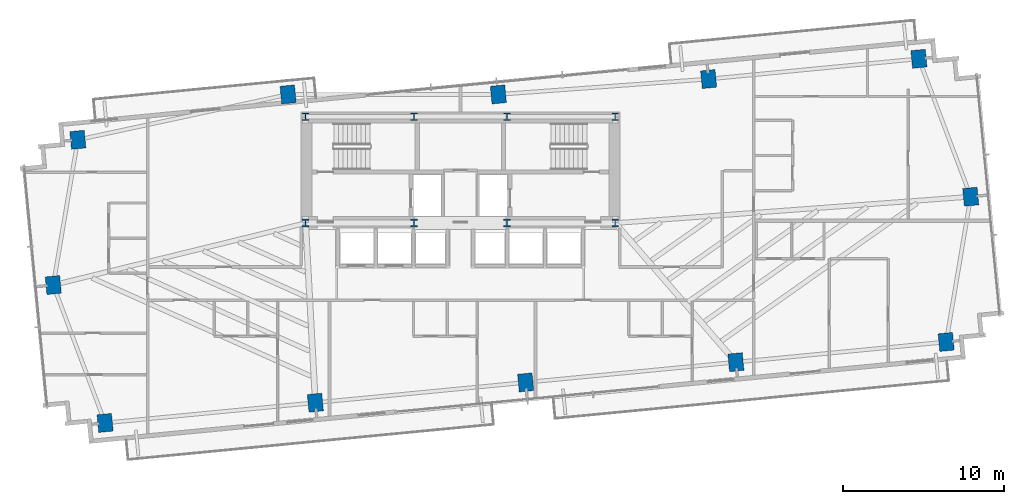
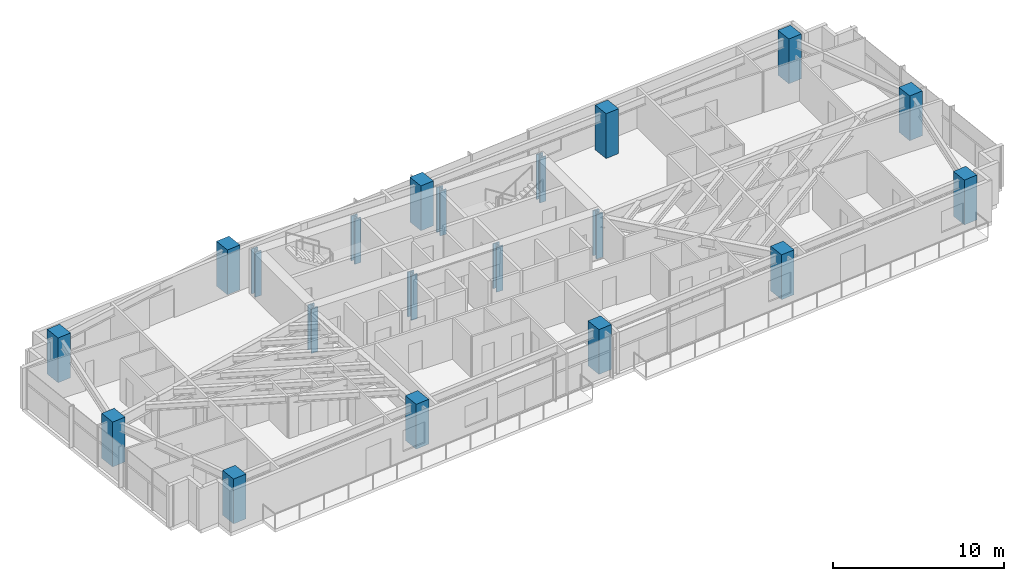
# One storey, part 1 of 27: 20 columns.
"""IFC4 building model written with IfcOpenShell, lengths in metres."""

from ifc_helpers import new_model, si_unit, direction, frame, origin, origin_2d, place, context, subcontext, project, spatial, rectangle, i_section, extrude, source, transform, mapped, material, material_profile, profile_set, type_object, type_shapes, element, save


model = new_model("IFC4")

# Units and contexts
model_context = context("Model", 3, precision=1e-05, world=origin(), true_north=direction((0.0, 1.0)))
body_context = subcontext(model_context, "Body", "Model", "MODEL_VIEW")
ifc_project = project(units=[si_unit("LENGTHUNIT", "METRE"), si_unit("AREAUNIT", "SQUARE_METRE"), si_unit("VOLUMEUNIT", "CUBIC_METRE"), si_unit("PLANEANGLEUNIT", "RADIAN"), si_unit("MASSUNIT", "GRAM", prefix="KILO")], contexts=[model_context])

# Site, building, storey
site_placement = place(None, origin())
site = spatial("IfcSite", under=ifc_project, at=site_placement, CompositionType="ELEMENT")
building_placement = place(site_placement, origin())
building = spatial("IfcBuilding", under=site, at=building_placement, Name="Astriad Promenade Condominiums", CompositionType="ELEMENT")
storey_placement = place(building_placement, frame((0.0, 0.0, 93.800048828125)))
storey = spatial("IfcBuildingStorey", under=building, at=storey_placement, Name="L26", CompositionType="ELEMENT", Elevation=93.800048828125)

# Columns
ifc_material_1 = material(Name="Steel ASTM A992 Grade 50", Category="steel")
ifc_material_profile_1 = material_profile(ifc_material_1, i_section(OverallWidth=0.427490234375, OverallDepth=0.483154296875, WebThickness=0.05126953125, FlangeThickness=0.08154296875, FilletRadius=0.017822265625, at=origin_2d()), Name="W14X455")
ifc_profile_set_1 = profile_set([ifc_material_profile_1], Name="Steel ASTM A992 Grade 50")
column_type_1 = type_object("IfcColumnType", Name="STEEL CORE PILASTER W14X455", PredefinedType="PILASTER", material=ifc_profile_set_1)
shared_shape_1 = source(origin(), body_context, "Body", "SweptSolid", [
    extrude(i_section(OverallWidth=0.427490234375, OverallDepth=0.483154296875, WebThickness=0.05126953125, FlangeThickness=0.08154296875, FilletRadius=0.017822265625, at=origin_2d()), origin(), (0.0, 0.0, 1.0), 3.196044921875),
])
type_shapes(column_type_1, [shared_shape_1])
for number, where, z_axis, x_axis, name in (
    (1, (26.39990234375, 17.39990234375, 0.001953125), (0.0, 0.0, 1.0), (1.0, 0.0, 0.0), "Core Pilaster Column CP1 (L26)"),
    (2, (33.1201171875, 17.39990234375, 0.001953125), (0.0, 0.0, 1.0), (1.0, 0.0, 0.0), "Core Pilaster Column CP2 (L26)"),
    (3, (38.8798828125, 17.39990234375, 0.001953125), (0.0, 0.0, 1.0), (1.0, 0.0, 0.0), "Core Pilaster Column CP3 (L26)"),
    (4, (45.60009765625, 17.39990234375, 0.001953125), (0.0, 0.0, 1.0), (1.0, 0.0, 0.0), "Core Pilaster Column CP4 (L26)"),
    (5, (26.39990234375, 24.0, 0.001953125), (0.0, 0.0, 1.0), (1.0, 0.0, 0.0), "Core Pilaster Column CP5 (L26)"),
    (6, (33.1201171875, 24.0, 0.001953125), (0.0, 0.0, 1.0), (1.0, 0.0, 0.0), "Core Pilaster Column CP6 (L26)"),
    (7, (38.8798828125, 24.0, 0.001953125), (0.0, 0.0, 1.0), (1.0, 0.0, 0.0), "Core Pilaster Column CP7 (L26)"),
    (8, (45.60009765625, 24.0, 0.001953125), (0.0, 0.0, 1.0), (1.0, 0.0, 0.0), "Core Pilaster Column CP8 (L26)"),
):
    element("IfcColumn", number, at=place(storey_placement, frame(where, z_axis=z_axis, x_axis=x_axis)), inside=storey, type_object=column_type_1, Name=name, PredefinedType="PILASTER", context=body_context, shape_type="MappedRepresentation", body=[
        mapped(shared_shape_1, transform((0.0, 0.0, 0.0), scale=1.0)),
    ])
ifc_material_2 = material(Name="Concrete C60/75", Category="concrete")
ifc_material_profile_2 = material_profile(ifc_material_2, rectangle(XDim=0.89990234375, YDim=1.10009765625, at=origin_2d()), Name="RC-COL-1100X900")
ifc_profile_set_2 = profile_set([ifc_material_profile_2], Name="Concrete C60/75")
column_type_2 = type_object("IfcColumnType", Name="CONCRETE TOWER COLUMN 1100X900", PredefinedType="COLUMN", material=ifc_profile_set_2)
shared_shape_2 = source(origin(), body_context, "Body", "SweptSolid", [
    extrude(rectangle(XDim=0.89990234375, YDim=1.10009765625, at=origin_2d()), origin(), (0.0, 0.0, 1.0), 3.196044921875),
])
type_shapes(column_type_2, [shared_shape_2])
for number, where, z_axis, x_axis, name in (
    (9, (13.966064453125, 5.009521484375, 0.001953125), (0.0, 0.0, 1.0), (0.995396198367, 0.09584575252, 0.0), "Perimeter Column PC01 (L26)"),
    (10, (27.005615234375, 6.264892578125, 0.001953125), (0.0, 0.0, 1.0), (0.995396198367, 0.09584575252, 0.0), "Perimeter Column PC02 (L26)"),
    (11, (40.04541015625, 7.5205078125, 0.001953125), (0.0, 0.0, 1.0), (0.995396198367, 0.09584575252, 0.0), "Perimeter Column PC03 (L26)"),
    (12, (53.0849609375, 8.776123046875, 0.001953125), (0.0, 0.0, 1.0), (0.995396198367, 0.09584575252, 0.0), "Perimeter Column PC04 (L26)"),
    (13, (66.124755859375, 10.03173828125, 0.001953125), (0.0, 0.0, 1.0), (0.995396198367, 0.09584575252, 0.0), "Perimeter Column PC05 (L26)"),
    (14, (12.275390625, 22.568115234375, 0.001953125), (0.0, 0.0, 1.0), (0.995396198367, 0.09584575252, 0.0), "Perimeter Column PC06 (L26)"),
    (15, (25.31494140625, 25.3798828125, 0.001953125), (0.0, 0.0, 1.0), (0.995396198367, 0.09584575252, 0.0), "Perimeter Column PC07 (L26)"),
    (16, (38.3544921875, 25.3798828125, 0.001953125), (0.0, 0.0, 1.0), (0.995396198367, 0.09584575252, 0.0), "Perimeter Column PC08 (L26)"),
    (17, (51.394287109375, 26.3349609375, 0.001953125), (0.0, 0.0, 1.0), (0.995396198367, 0.09584575252, 0.0), "Perimeter Column PC09 (L26)"),
    (18, (64.43408203125, 27.590576171875, 0.001953125), (0.0, 0.0, 1.0), (0.995396198367, 0.09584575252, 0.0), "Perimeter Column PC10 (L26)"),
    (19, (10.751708984375, 13.560791015625, 0.001953125), (0.0, 0.0, 1.0), (0.995396198367, 0.09584575252, 0.0), "Perimeter Column PC11 (L26)"),
    (20, (67.6484375, 19.039306640625, 0.001953125), (0.0, 0.0, 1.0), (0.995396198367, 0.09584575252, 0.0), "Perimeter Column PC12 (L26)"),
):
    element("IfcColumn", number, at=place(storey_placement, frame(where, z_axis=z_axis, x_axis=x_axis)), inside=storey, type_object=column_type_2, Name=name, PredefinedType="COLUMN", context=body_context, shape_type="MappedRepresentation", body=[
        mapped(shared_shape_2, transform((0.0, 0.0, 0.0), scale=1.0)),
    ])

save(model, "model.ifc")
